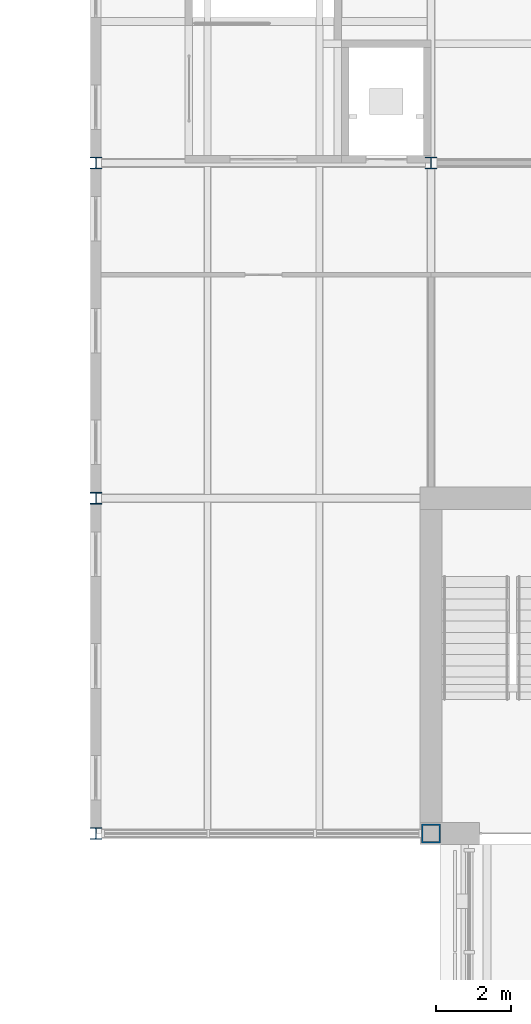
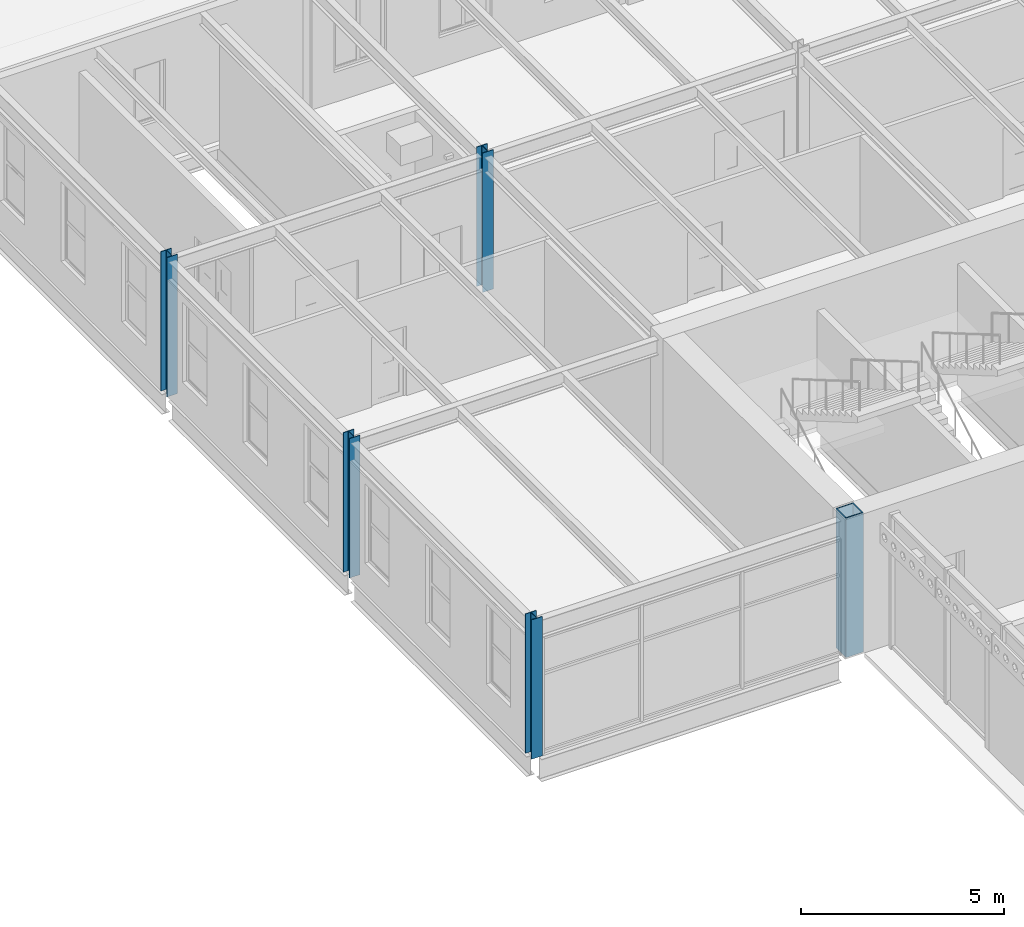
# One storey, part 5 of 123: 5 columns.
"""IFC4 building model written with IfcOpenShell, lengths in metres."""

from ifc_helpers import new_model, si_unit, direction, frame, origin, origin_2d, place, context, subcontext, project, spatial, hollow_rectangle, i_section, extrude, material, material_profile, profile_set, type_object, element, save


model = new_model("IFC4")

# Units and contexts
model_context = context("Model", 3, precision=1e-05, world=origin(), true_north=direction((0.0, 1.0)))
body_context = subcontext(model_context, "Body", "Model", "MODEL_VIEW")
ifc_project = project(units=[si_unit("LENGTHUNIT", "METRE"), si_unit("AREAUNIT", "SQUARE_METRE"), si_unit("VOLUMEUNIT", "CUBIC_METRE"), si_unit("PLANEANGLEUNIT", "RADIAN"), si_unit("MASSUNIT", "GRAM", prefix="KILO")], contexts=[model_context])

# Site, building, storey
site_placement = place(None, origin())
site = spatial("IfcSite", under=ifc_project, at=site_placement, CompositionType="ELEMENT")
building_placement = place(site_placement, origin())
building = spatial("IfcBuilding", under=site, at=building_placement, Name="Baradari Gate Terminus", CompositionType="ELEMENT")
storey_placement = place(building_placement, frame((0.0, 0.0, 7.5)))
storey = spatial("IfcBuildingStorey", under=building, at=storey_placement, Name="L01", CompositionType="ELEMENT", Elevation=7.5)

# Columns
ifc_material_1 = material(Name="Steel S355", Category="steel")
ifc_material_profile_1 = material_profile(ifc_material_1, hollow_rectangle(XDim=0.5, YDim=0.5, WallThickness=0.031982421875, at=origin_2d()), Name="FB 500x500x32")
ifc_profile_set_1 = profile_set([ifc_material_profile_1], Name="Steel S355")
column_type_1 = type_object("IfcColumnType", Name="Abutment end post C06 FB 500x500x32", PredefinedType="COLUMN", material=ifc_profile_set_1)
column_placement = place(storey_placement, frame((72.0, 81.0, 0.0), z_axis=(0.0, 0.0, 1.0), x_axis=(1.0, 0.0, 0.0)))
element("IfcColumn", 1, at=column_placement, inside=storey, type_object=column_type_1, Name="C06 column 9-K L01", PredefinedType="COLUMN", context=body_context, shape_type="SweptSolid", body=[
    extrude(hollow_rectangle(XDim=0.5, YDim=0.5, WallThickness=0.031982421875, at=origin_2d()), origin(), (0.0, 0.0, 1.0), 4.199951171875),
])
ifc_material_2 = material(Name="Steel S355", Category="steel")
ifc_material_profile_2 = material_profile(ifc_material_2, i_section(OverallWidth=0.307373046875, OverallDepth=0.314453125, WebThickness=0.011962890625, FlangeThickness=0.018798828125, FilletRadius=0.01513671875, at=origin_2d()), Name="UC 305x305x118")
ifc_profile_set_2 = profile_set([ifc_material_profile_2], Name="Steel S355")
column_type_2 = type_object("IfcColumnType", Name="Head-house column C07 UC 305x305x118", PredefinedType="COLUMN", material=ifc_profile_set_2)
for number, where, z_axis, x_axis, name in (
    (2, (63.0, 81.0, 0.0), (0.0, 0.0, 1.0), (1.0, 0.0, 0.0), "C07 column 8-K L01"),
    (3, (63.0, 90.0, 0.0), (0.0, 0.0, 1.0), (1.0, 0.0, 0.0), "C07 column 8-L L01"),
    (4, (63.0, 99.0, 0.0), (0.0, 0.0, 1.0), (1.0, 0.0, 0.0), "C07 column 8-M L01"),
    (5, (72.0, 99.0, 0.0), (0.0, 0.0, 1.0), (1.0, 0.0, 0.0), "C07 column 9-M L01"),
):
    element("IfcColumn", number, at=place(storey_placement, frame(where, z_axis=z_axis, x_axis=x_axis)), inside=storey, type_object=column_type_2, Name=name, PredefinedType="COLUMN", context=body_context, shape_type="SweptSolid", body=[
        extrude(i_section(OverallWidth=0.307373046875, OverallDepth=0.314453125, WebThickness=0.011962890625, FlangeThickness=0.018798828125, FilletRadius=0.01513671875, at=origin_2d()), origin(), (0.0, 0.0, 1.0), 4.199951171875),
    ])

save(model, "model.ifc")
